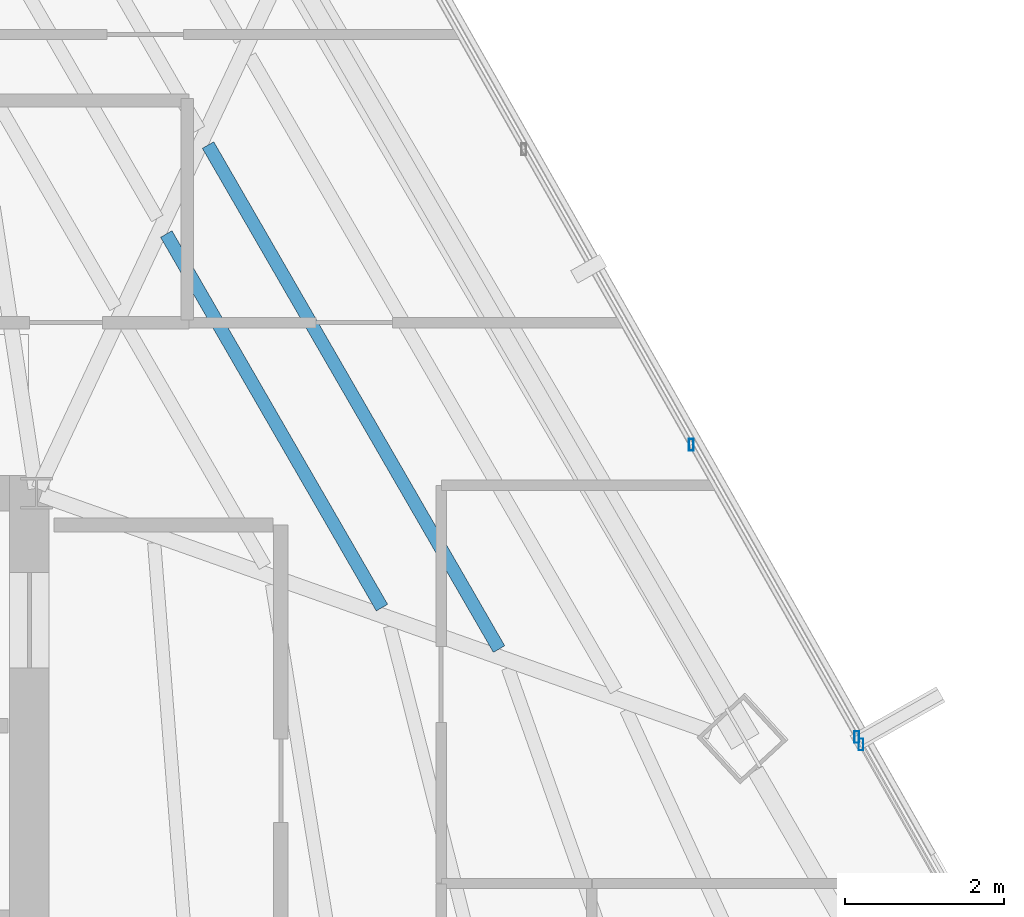
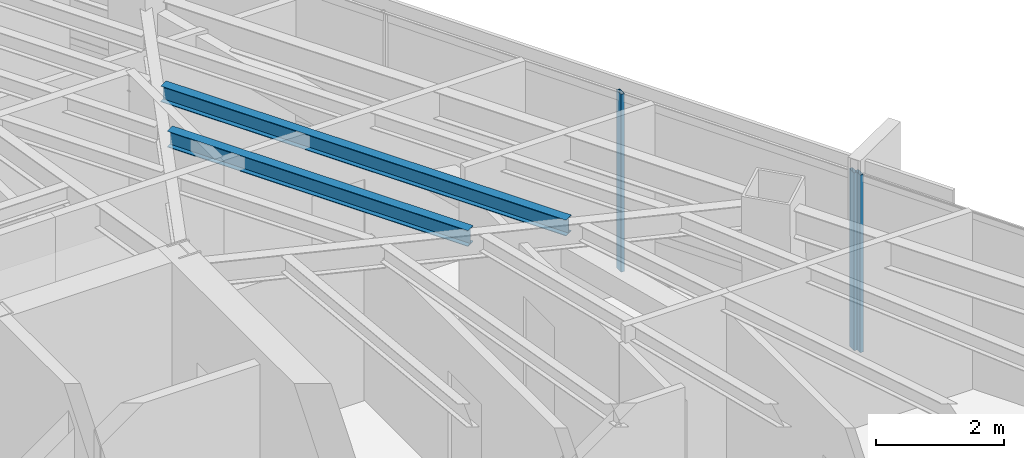
# One storey, part 26 of 42: 3 members, 2 beams, 2 elements without a shape of their own.
"""IFC4 building model written with IfcOpenShell, lengths in metres."""

import ifcopenshell
import ifcopenshell.guid

model = None  # the IFC model being written
_history = None  # IfcOwnerHistory: only IFC2X3 demands one
_inside = {}  # id of a spatial element -> (the spatial element, [elements in it])
_under = {}  # id of a project, library or spatial element -> (it, [spatial elements below it])
_declared = {}  # id of a project -> (the project, [libraries it declares])
_typed = {}  # id of a type object -> (the type object, [elements of that type])
_made_of = {}  # id of a material, layer set ... -> (it, [elements and type objects made of it])


def new_model(schema):
    """Start an empty IFC model of exactly this schema.

    Asked for "IFC4X3", IfcOpenShell would pick the latest addendum, in which some entities
    have other attributes; the version numbers below select the first issue.
    IFC2X3 requires an IfcOwnerHistory on every rooted entity: one is made here for all.
    """
    global model, _history
    if schema == "IFC4X3":
        model = ifcopenshell.file(schema_version=(4, 3, 0, 0))
    else:
        model = ifcopenshell.file(schema=schema)
    _inside.clear()
    _under.clear()
    _declared.clear()
    _typed.clear()
    _made_of.clear()
    _history = None
    if model.schema == "IFC2X3":
        org = make("IfcOrganization", Name="unknown")
        user = make(
            "IfcPersonAndOrganization",
            ThePerson=make("IfcPerson", FamilyName="unknown"),
            TheOrganization=org,
        )
        app = make(
            "IfcApplication",
            ApplicationDeveloper=org,
            Version="unknown",
            ApplicationFullName="unknown",
            ApplicationIdentifier="unknown",
        )
        _history = make(
            "IfcOwnerHistory",
            OwningUser=user,
            OwningApplication=app,
            ChangeAction="ADDED",
            CreationDate=0,
        )
    return model


def make(cls, **values):
    """One entity of the class cls with the attributes given. An attribute that is None is left unset."""
    return model.create_entity(
        cls, **{name: value for name, value in values.items() if value is not None}
    )


def rooted(cls, **values):
    """An entity with a GlobalId (a new one), such as an element, a storey or a relation."""
    return make(cls, GlobalId=ifcopenshell.guid.new(), OwnerHistory=_history, **values)


def si_unit(unit_type, name, prefix=None):
    """IfcSIUnit, for example si_unit("LENGTHUNIT", "METRE", prefix="MILLI")."""
    return make("IfcSIUnit", UnitType=unit_type, Prefix=prefix, Name=name)


def assignment(units):
    """IfcUnitAssignment: the units of a project."""
    return None if units is None else make("IfcUnitAssignment", Units=units)


def point(xyz):
    """IfcCartesianPoint."""
    return None if xyz is None else make("IfcCartesianPoint", Coordinates=xyz)


def direction(xyz):
    """IfcDirection."""
    return None if xyz is None else make("IfcDirection", DirectionRatios=xyz)


def frame(location, z_axis=None, x_axis=None):
    """IfcAxis2Placement3D, a coordinate frame: its origin and axes. An axis left out is left unset."""
    return make(
        "IfcAxis2Placement3D",
        Location=point(location),
        Axis=direction(z_axis),
        RefDirection=direction(x_axis),
    )


def frame_2d(location, x_axis=None):
    """IfcAxis2Placement2D, a coordinate frame in the plane: its origin and x axis."""
    return make(
        "IfcAxis2Placement2D", Location=point(location), RefDirection=direction(x_axis)
    )


def origin():
    """The frame at (0, 0, 0) with its axes left unset."""
    return frame((0.0, 0.0, 0.0))


def origin_2d():
    """The frame at (0, 0) in the plane with its x axis left unset."""
    return frame_2d((0.0, 0.0))


def place(relative_to, where):
    """IfcLocalPlacement: puts the frame where relative to a parent placement (None: the world)."""
    return make(
        "IfcLocalPlacement", PlacementRelTo=relative_to, RelativePlacement=where
    )


def context(
    kind, dimensions, precision=None, world=None, true_north=None, identifier=None
):
    """IfcGeometricRepresentationContext, for example the 3D "Model" context."""
    return make(
        "IfcGeometricRepresentationContext",
        ContextIdentifier=identifier,
        ContextType=kind,
        CoordinateSpaceDimension=dimensions,
        Precision=precision,
        WorldCoordinateSystem=world,
        TrueNorth=true_north,
    )


def subcontext(parent, identifier, kind, view, scale=None):
    """IfcGeometricRepresentationSubContext, for example "Body" below "Model"."""
    return make(
        "IfcGeometricRepresentationSubContext",
        ContextIdentifier=identifier,
        ContextType=kind,
        ParentContext=parent,
        TargetScale=scale,
        TargetView=view,
    )


def project(units=None, contexts=None):
    """IfcProject with its units and contexts."""
    return rooted(
        "IfcProject",
        Name="project",
        RepresentationContexts=contexts,
        UnitsInContext=assignment(units),
    )


def spatial(cls, under=None, at=None, **own):
    """A site, building, storey or space (cls), placed at a placement, below another one or the project."""
    s = rooted(cls, ObjectPlacement=at, **own)
    if under is not None:
        _under.setdefault(under.id(), (under, []))[1].append(s)
    return s


def profile(cls, at=None, kind="AREA", **sizes):
    """A parametric profile (cls). Its sizes go by their IFC names, for example OverallWidth=200.0."""
    return make(cls, ProfileType=kind, Position=at, **sizes)


def hollow_rectangle(**sizes):
    """IfcRectangleHollowProfileDef."""
    return profile("IfcRectangleHollowProfileDef", **sizes)


def i_section(**sizes):
    """IfcIShapeProfileDef."""
    return profile("IfcIShapeProfileDef", **sizes)


def extrude(swept, where, along, depth):
    """IfcExtrudedAreaSolid: the profile swept, set in the frame where, extruded along a direction by depth."""
    return make(
        "IfcExtrudedAreaSolid",
        SweptArea=swept,
        Position=where,
        ExtrudedDirection=direction(along),
        Depth=depth,
    )


def shape(context_of_items, identifier, shape_type, items):
    """IfcShapeRepresentation: the items that make up one representation, for example the "Body"."""
    return make(
        "IfcShapeRepresentation",
        ContextOfItems=context_of_items,
        RepresentationIdentifier=identifier,
        RepresentationType=shape_type,
        Items=items,
    )


def source(mapping_origin, context_of_items, identifier, shape_type, items):
    """IfcRepresentationMap: a shape defined once, which mapped items show again and again."""
    return make(
        "IfcRepresentationMap",
        MappingOrigin=mapping_origin,
        MappedRepresentation=shape(context_of_items, identifier, shape_type, items),
    )


def transform(
    local_origin,
    x_axis=None,
    y_axis=None,
    z_axis=None,
    scale=None,
    scale2=None,
    scale3=None,
    uniform=True,
):
    """IfcCartesianTransformationOperator3D, or its non-uniform kind. x_axis, y_axis, z_axis: its Axis1, 2, 3."""
    if uniform:
        return make(
            "IfcCartesianTransformationOperator3D",
            Axis1=direction(x_axis),
            Axis2=direction(y_axis),
            LocalOrigin=point(local_origin),
            Scale=scale,
            Axis3=direction(z_axis),
        )
    return make(
        "IfcCartesianTransformationOperator3DnonUniform",
        Axis1=direction(x_axis),
        Axis2=direction(y_axis),
        LocalOrigin=point(local_origin),
        Scale=scale,
        Axis3=direction(z_axis),
        Scale2=scale2,
        Scale3=scale3,
    )


def mapped(mapping_source, mapping_target):
    """IfcMappedItem: shows the shape of a source again, moved by a transform."""
    return make(
        "IfcMappedItem", MappingSource=mapping_source, MappingTarget=mapping_target
    )


def material(Name=None, Category=None):
    """IfcMaterial."""
    return make("IfcMaterial", Name=Name, Category=Category)


def material_profile(
    of_material, cross_section, Name=None, Category=None, Priority=None
):
    """IfcMaterialProfile: a cross section and its material."""
    return make(
        "IfcMaterialProfile",
        Name=Name,
        Material=of_material,
        Profile=cross_section,
        Priority=Priority,
        Category=Category,
    )


def profile_set(profiles, Name=None, composite=None):
    """IfcMaterialProfileSet."""
    return make(
        "IfcMaterialProfileSet",
        Name=Name,
        MaterialProfiles=profiles,
        CompositeProfile=composite,
    )


def made_of(thing, what):
    """Note that an element or type object is made of a material, layer set ...; save() writes the relation."""
    if what is not None:
        _made_of.setdefault(what.id(), (what, []))[1].append(thing)
    return thing


def type_object(cls, material=None, **own):
    """A type object (cls), such as IfcWallType, which elements share."""
    return made_of(rooted(cls, **own), material)


def type_shapes(of_type, sources):
    """Give a type object the sources (RepresentationMaps) that its elements show as mapped items."""
    of_type.RepresentationMaps = sources


def element(
    cls,
    number,
    at=None,
    inside=None,
    cuts=None,
    type_object=None,
    material=None,
    context=None,
    identifier="Body",
    shape_type=None,
    held_by="IfcProductDefinitionShape",
    body=None,
    shapes=None,
    **own,
):
    """One element of the class cls, such as IfcWall. Its Tag is "e" and its number.

    at: its placement. inside: the storey or other place that contains it. cuts: it is an
    opening in that element (IfcRelVoidsElement). A single representation is given by context,
    identifier, shape_type and body (its items); several are given by shapes. held_by: the class
    of the entity that holds the representations. save() writes the other relations.
    """
    e = rooted(cls, Tag="e%d" % number, ObjectPlacement=at, **own)
    if body is not None:
        shapes = [shape(context, identifier, shape_type, body)]
    if shapes is not None:
        e.Representation = make(held_by, Representations=shapes)
    if inside is not None:
        _inside.setdefault(inside.id(), (inside, []))[1].append(e)
    if cuts is not None:
        rooted(
            "IfcRelVoidsElement", RelatingBuildingElement=cuts, RelatedOpeningElement=e
        )
    if type_object is not None:
        _typed.setdefault(type_object.id(), (type_object, []))[1].append(e)
    return made_of(e, material)


def aggregate(whole, parts):
    """IfcRelAggregates: a whole, such as a stair, and the parts it consists of."""
    return rooted("IfcRelAggregates", RelatingObject=whole, RelatedObjects=parts)


def save(model, path):
    """Write the relations noted so far, then the file.

    IfcRelAggregates (storeys below a building ...), IfcRelContainedInSpatialStructure (elements
    in a storey), IfcRelDefinesByType, IfcRelAssociatesMaterial and IfcRelDeclares: one each for
    every whole, place, type object, material and project.
    """
    for whole, parts in _under.values():
        aggregate(whole, parts)
    for where, things in _inside.values():
        rooted(
            "IfcRelContainedInSpatialStructure",
            RelatedElements=things,
            RelatingStructure=where,
        )
    for kind, things in _typed.values():
        rooted("IfcRelDefinesByType", RelatedObjects=things, RelatingType=kind)
    for what, things in _made_of.values():
        rooted("IfcRelAssociatesMaterial", RelatedObjects=things, RelatingMaterial=what)
    for by, libraries in _declared.values():
        rooted("IfcRelDeclares", RelatingContext=by, RelatedDefinitions=libraries)
    model.write(path)


model = new_model("IFC4")

# Units and contexts
model_context = context("Model", 3, precision=1e-05, world=origin(), true_north=direction((0.0, 1.0)))
body_context = subcontext(model_context, "Body", "Model", "MODEL_VIEW")
ifc_project = project(units=[si_unit("LENGTHUNIT", "METRE"), si_unit("AREAUNIT", "SQUARE_METRE"), si_unit("VOLUMEUNIT", "CUBIC_METRE"), si_unit("PLANEANGLEUNIT", "RADIAN"), si_unit("MASSUNIT", "GRAM", prefix="KILO")], contexts=[model_context])

# Site, building, storey
site_placement = place(None, origin())
site = spatial("IfcSite", under=ifc_project, at=site_placement, CompositionType="ELEMENT")
building_placement = place(site_placement, origin())
building = spatial("IfcBuilding", under=site, at=building_placement, Name="Caelisora Broadcast Tower", CompositionType="ELEMENT")
storey_placement = place(building_placement, frame((0.0, 0.0, 205.949951171875)))
storey = spatial("IfcBuildingStorey", under=building, at=storey_placement, Name="L54", CompositionType="ELEMENT", Elevation=205.949951171875)

# Beams
ifc_material_1 = material(Name="Steel Grade 350 (AS/NZS 3679.1)", Category="steel")
ifc_material_profile_1 = material_profile(ifc_material_1, i_section(OverallWidth=0.166015625, OverallDepth=0.30712890625, WebThickness=0.006591796875, FlangeThickness=0.01171875, at=origin_2d()), Name="Steel Grade 350 (AS/NZS 3679.1)")
ifc_profile_set_1 = profile_set([ifc_material_profile_1], Name="Steel Grade 350 (AS/NZS 3679.1)")
beam_type = type_object("IfcBeamType", Name="SB03", PredefinedType="JOIST", material=ifc_profile_set_1)
shared_shape_1 = source(origin(), body_context, "Body", "SweptSolid", [
    extrude(i_section(OverallWidth=0.166015625, OverallDepth=0.30712890625, WebThickness=0.006591796875, FlangeThickness=0.01171875, at=origin_2d()), origin(), (0.0, 0.0, 1.0), 5.437255859375),
])
beam_1_placement = place(storey_placement, frame((49.8544921875, 28.5576171875, 3.246337890625), z_axis=(-0.499988056753, 0.866032299111, 0.0), x_axis=(-0.866032299111, -0.499988056753, 0.0)))
element("IfcBeam", 1, at=beam_1_placement, inside=storey, type_object=beam_type, Name="L54 beam SB03", PredefinedType="JOIST", context=body_context, shape_type="MappedRepresentation", body=[
    mapped(shared_shape_1, transform((0.0, 0.0, 0.0), scale=1.0)),
])
shared_shape_2 = source(origin(), body_context, "Body", "SweptSolid", [
    extrude(i_section(OverallWidth=0.166015625, OverallDepth=0.30712890625, WebThickness=0.006591796875, FlangeThickness=0.01171875, at=origin_2d()), origin(), (0.0, 0.0, 1.0), 7.335205078125),
])
type_shapes(beam_type, [shared_shape_1, shared_shape_2])
beam_2_placement = place(storey_placement, frame((51.330078125, 28.035400390625, 3.246337890625), z_axis=(-0.500008636774, 0.866020417283, 0.0), x_axis=(-0.866020417283, -0.500008636774, 0.0)))
element("IfcBeam", 2, at=beam_2_placement, inside=storey, type_object=beam_type, Name="L54 beam SB03", PredefinedType="JOIST", context=body_context, shape_type="MappedRepresentation", body=[
    mapped(shared_shape_2, transform((0.0, 0.0, 0.0), scale=1.0)),
])

# Curtain wall, members
ifc_material_2 = material(Name="Unitised Aluminium Insulated Shadow-Box Spandrel Curtain Wall", Category="aluminium")
curtain_wall_type_1 = type_object("IfcCurtainWallType", Name="CW-SP2", PredefinedType="NOTDEFINED", material=ifc_material_2)
curtain_wall_1_placement = place(storey_placement, origin())
curtain_wall_1 = element("IfcCurtainWall", 3, at=curtain_wall_1_placement, inside=storey, type_object=curtain_wall_type_1, Name="L54 curtain wall CW-SP2", PredefinedType="NOTDEFINED")
ifc_material_3 = material(Name="Aluminium 6063-T6 Anodised Terracotta Bronze", Category="aluminium")
ifc_material_profile_2 = material_profile(ifc_material_3, hollow_rectangle(XDim=0.06005859375, YDim=0.14990234375, WallThickness=0.00341796875, at=origin_2d()), Name="Aluminium 6063-T6 Anodised Terracotta Bronze")
ifc_profile_set_2 = profile_set([ifc_material_profile_2], Name="Aluminium 6063-T6 Anodised Terracotta Bronze")
member_type = type_object("IfcMemberType", Name="CWM-03", PredefinedType="MULLION", material=ifc_profile_set_2)
shared_shape_3 = source(origin(), body_context, "Body", "SweptSolid", [
    extrude(hollow_rectangle(XDim=0.06005859375, YDim=0.14990234375, WallThickness=0.00341796875, at=origin_2d()), origin(), (0.0, 0.0, 1.0), 3.400146484375),
])
type_shapes(member_type, [shared_shape_3])
member_1_placement = place(storey_placement, frame((53.75146484375, 30.60986328125, 0.0), z_axis=(0.0, 0.0, 1.0), x_axis=(1.0, 0.0, 0.0)))
member_1 = element("IfcMember", 4, at=member_1_placement, type_object=member_type, Name="L54-CW-B02 mullion #2", PredefinedType="MULLION", context=body_context, shape_type="MappedRepresentation", body=[
    mapped(shared_shape_3, transform((0.0, 0.0, 0.0), scale=1.0)),
])
member_2_placement = place(storey_placement, frame((55.837890625, 26.927978515625, 0.0), z_axis=(0.0, 0.0, 1.0), x_axis=(1.0, 0.0, 0.0)))
member_2 = element("IfcMember", 5, at=member_2_placement, type_object=member_type, Name="L54-CW-B02 mullion #3", PredefinedType="MULLION", context=body_context, shape_type="MappedRepresentation", body=[
    mapped(shared_shape_3, transform((0.0, 0.0, 0.0), scale=1.0)),
])
aggregate(curtain_wall_1, [member_1, member_2])

# Curtain wall, member
ifc_material_4 = material(Name="Unitised Aluminium and Low-E Glass Curtain Wall", Category="glass")
curtain_wall_type_2 = type_object("IfcCurtainWallType", Name="CW-Z4", PredefinedType="NOTDEFINED", material=ifc_material_4)
curtain_wall_2_placement = place(storey_placement, origin())
curtain_wall_2 = element("IfcCurtainWall", 6, at=curtain_wall_2_placement, inside=storey, type_object=curtain_wall_type_2, Name="L54 curtain wall CW-Z4", PredefinedType="NOTDEFINED")
member_3_placement = place(storey_placement, frame((55.89208984375, 26.832275390625, 0.0), z_axis=(0.0, 0.0, 1.0), x_axis=(1.0, 0.0, 0.0)))
member_3 = element("IfcMember", 7, at=member_3_placement, type_object=member_type, Name="L54-CW-B03 mullion #0", PredefinedType="MULLION", context=body_context, shape_type="MappedRepresentation", body=[
    mapped(shared_shape_3, transform((0.0, 0.0, 0.0), scale=1.0)),
])
aggregate(curtain_wall_2, [member_3])

save(model, "model.ifc")
